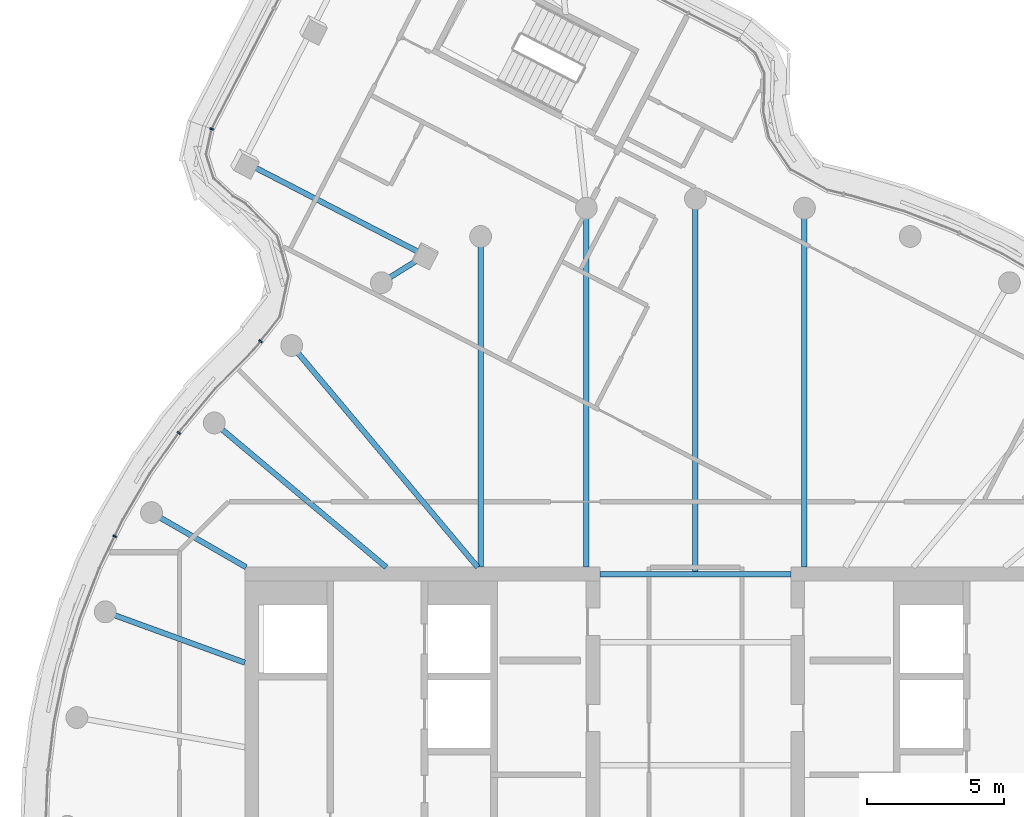
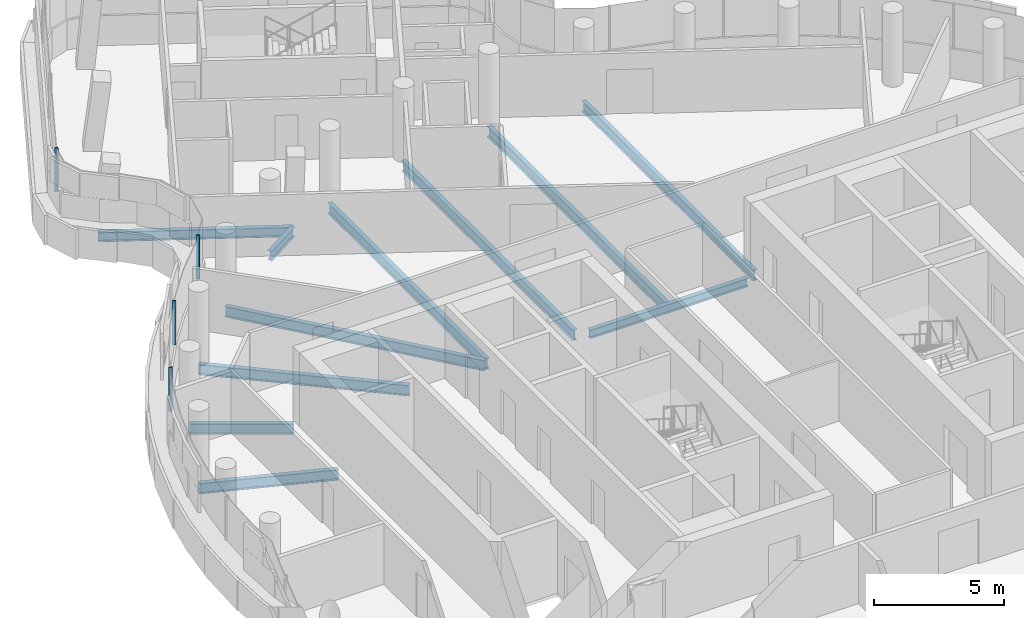
# One storey, part 9 of 21: 11 beams, 4 members, 1 element without a shape of its own.
"""IFC4 building model written with IfcOpenShell, lengths in metres."""

import ifcopenshell
import ifcopenshell.guid

model = None  # the IFC model being written
_history = None  # IfcOwnerHistory: only IFC2X3 demands one
_inside = {}  # id of a spatial element -> (the spatial element, [elements in it])
_under = {}  # id of a project, library or spatial element -> (it, [spatial elements below it])
_declared = {}  # id of a project -> (the project, [libraries it declares])
_typed = {}  # id of a type object -> (the type object, [elements of that type])
_made_of = {}  # id of a material, layer set ... -> (it, [elements and type objects made of it])


def new_model(schema):
    """Start an empty IFC model of exactly this schema.

    Asked for "IFC4X3", IfcOpenShell would pick the latest addendum, in which some entities
    have other attributes; the version numbers below select the first issue.
    IFC2X3 requires an IfcOwnerHistory on every rooted entity: one is made here for all.
    """
    global model, _history
    if schema == "IFC4X3":
        model = ifcopenshell.file(schema_version=(4, 3, 0, 0))
    else:
        model = ifcopenshell.file(schema=schema)
    _inside.clear()
    _under.clear()
    _declared.clear()
    _typed.clear()
    _made_of.clear()
    _history = None
    if model.schema == "IFC2X3":
        org = make("IfcOrganization", Name="unknown")
        user = make(
            "IfcPersonAndOrganization",
            ThePerson=make("IfcPerson", FamilyName="unknown"),
            TheOrganization=org,
        )
        app = make(
            "IfcApplication",
            ApplicationDeveloper=org,
            Version="unknown",
            ApplicationFullName="unknown",
            ApplicationIdentifier="unknown",
        )
        _history = make(
            "IfcOwnerHistory",
            OwningUser=user,
            OwningApplication=app,
            ChangeAction="ADDED",
            CreationDate=0,
        )
    return model


def make(cls, **values):
    """One entity of the class cls with the attributes given. An attribute that is None is left unset."""
    return model.create_entity(
        cls, **{name: value for name, value in values.items() if value is not None}
    )


def rooted(cls, **values):
    """An entity with a GlobalId (a new one), such as an element, a storey or a relation."""
    return make(cls, GlobalId=ifcopenshell.guid.new(), OwnerHistory=_history, **values)


def si_unit(unit_type, name, prefix=None):
    """IfcSIUnit, for example si_unit("LENGTHUNIT", "METRE", prefix="MILLI")."""
    return make("IfcSIUnit", UnitType=unit_type, Prefix=prefix, Name=name)


def assignment(units):
    """IfcUnitAssignment: the units of a project."""
    return None if units is None else make("IfcUnitAssignment", Units=units)


def point(xyz):
    """IfcCartesianPoint."""
    return None if xyz is None else make("IfcCartesianPoint", Coordinates=xyz)


def direction(xyz):
    """IfcDirection."""
    return None if xyz is None else make("IfcDirection", DirectionRatios=xyz)


def frame(location, z_axis=None, x_axis=None):
    """IfcAxis2Placement3D, a coordinate frame: its origin and axes. An axis left out is left unset."""
    return make(
        "IfcAxis2Placement3D",
        Location=point(location),
        Axis=direction(z_axis),
        RefDirection=direction(x_axis),
    )


def frame_2d(location, x_axis=None):
    """IfcAxis2Placement2D, a coordinate frame in the plane: its origin and x axis."""
    return make(
        "IfcAxis2Placement2D", Location=point(location), RefDirection=direction(x_axis)
    )


def origin():
    """The frame at (0, 0, 0) with its axes left unset."""
    return frame((0.0, 0.0, 0.0))


def origin_2d():
    """The frame at (0, 0) in the plane with its x axis left unset."""
    return frame_2d((0.0, 0.0))


def place(relative_to, where):
    """IfcLocalPlacement: puts the frame where relative to a parent placement (None: the world)."""
    return make(
        "IfcLocalPlacement", PlacementRelTo=relative_to, RelativePlacement=where
    )


def context(
    kind, dimensions, precision=None, world=None, true_north=None, identifier=None
):
    """IfcGeometricRepresentationContext, for example the 3D "Model" context."""
    return make(
        "IfcGeometricRepresentationContext",
        ContextIdentifier=identifier,
        ContextType=kind,
        CoordinateSpaceDimension=dimensions,
        Precision=precision,
        WorldCoordinateSystem=world,
        TrueNorth=true_north,
    )


def subcontext(parent, identifier, kind, view, scale=None):
    """IfcGeometricRepresentationSubContext, for example "Body" below "Model"."""
    return make(
        "IfcGeometricRepresentationSubContext",
        ContextIdentifier=identifier,
        ContextType=kind,
        ParentContext=parent,
        TargetScale=scale,
        TargetView=view,
    )


def project(units=None, contexts=None):
    """IfcProject with its units and contexts."""
    return rooted(
        "IfcProject",
        Name="project",
        RepresentationContexts=contexts,
        UnitsInContext=assignment(units),
    )


def spatial(cls, under=None, at=None, **own):
    """A site, building, storey or space (cls), placed at a placement, below another one or the project."""
    s = rooted(cls, ObjectPlacement=at, **own)
    if under is not None:
        _under.setdefault(under.id(), (under, []))[1].append(s)
    return s


def profile(cls, at=None, kind="AREA", **sizes):
    """A parametric profile (cls). Its sizes go by their IFC names, for example OverallWidth=200.0."""
    return make(cls, ProfileType=kind, Position=at, **sizes)


def rectangle(**sizes):
    """IfcRectangleProfileDef."""
    return profile("IfcRectangleProfileDef", **sizes)


def i_section(**sizes):
    """IfcIShapeProfileDef."""
    return profile("IfcIShapeProfileDef", **sizes)


def extrude(swept, where, along, depth):
    """IfcExtrudedAreaSolid: the profile swept, set in the frame where, extruded along a direction by depth."""
    return make(
        "IfcExtrudedAreaSolid",
        SweptArea=swept,
        Position=where,
        ExtrudedDirection=direction(along),
        Depth=depth,
    )


def shape(context_of_items, identifier, shape_type, items):
    """IfcShapeRepresentation: the items that make up one representation, for example the "Body"."""
    return make(
        "IfcShapeRepresentation",
        ContextOfItems=context_of_items,
        RepresentationIdentifier=identifier,
        RepresentationType=shape_type,
        Items=items,
    )


def material(Name=None, Category=None):
    """IfcMaterial."""
    return make("IfcMaterial", Name=Name, Category=Category)


def layer(
    of_material, thickness, ventilated=None, Name=None, Category=None, Priority=None
):
    """IfcMaterialLayer: one layer of a wall or slab, of a material (None: an air gap)."""
    return make(
        "IfcMaterialLayer",
        Material=of_material,
        LayerThickness=thickness,
        IsVentilated=ventilated,
        Name=Name,
        Category=Category,
        Priority=Priority,
    )


def layer_set(layers, Name=None):
    """IfcMaterialLayerSet."""
    return make("IfcMaterialLayerSet", MaterialLayers=layers, LayerSetName=Name)


def material_profile(
    of_material, cross_section, Name=None, Category=None, Priority=None
):
    """IfcMaterialProfile: a cross section and its material."""
    return make(
        "IfcMaterialProfile",
        Name=Name,
        Material=of_material,
        Profile=cross_section,
        Priority=Priority,
        Category=Category,
    )


def profile_set(profiles, Name=None, composite=None):
    """IfcMaterialProfileSet."""
    return make(
        "IfcMaterialProfileSet",
        Name=Name,
        MaterialProfiles=profiles,
        CompositeProfile=composite,
    )


def made_of(thing, what):
    """Note that an element or type object is made of a material, layer set ...; save() writes the relation."""
    if what is not None:
        _made_of.setdefault(what.id(), (what, []))[1].append(thing)
    return thing


def type_object(cls, material=None, **own):
    """A type object (cls), such as IfcWallType, which elements share."""
    return made_of(rooted(cls, **own), material)


def element(
    cls,
    number,
    at=None,
    inside=None,
    cuts=None,
    type_object=None,
    material=None,
    context=None,
    identifier="Body",
    shape_type=None,
    held_by="IfcProductDefinitionShape",
    body=None,
    shapes=None,
    **own,
):
    """One element of the class cls, such as IfcWall. Its Tag is "e" and its number.

    at: its placement. inside: the storey or other place that contains it. cuts: it is an
    opening in that element (IfcRelVoidsElement). A single representation is given by context,
    identifier, shape_type and body (its items); several are given by shapes. held_by: the class
    of the entity that holds the representations. save() writes the other relations.
    """
    e = rooted(cls, Tag="e%d" % number, ObjectPlacement=at, **own)
    if body is not None:
        shapes = [shape(context, identifier, shape_type, body)]
    if shapes is not None:
        e.Representation = make(held_by, Representations=shapes)
    if inside is not None:
        _inside.setdefault(inside.id(), (inside, []))[1].append(e)
    if cuts is not None:
        rooted(
            "IfcRelVoidsElement", RelatingBuildingElement=cuts, RelatedOpeningElement=e
        )
    if type_object is not None:
        _typed.setdefault(type_object.id(), (type_object, []))[1].append(e)
    return made_of(e, material)


def aggregate(whole, parts):
    """IfcRelAggregates: a whole, such as a stair, and the parts it consists of."""
    return rooted("IfcRelAggregates", RelatingObject=whole, RelatedObjects=parts)


def save(model, path):
    """Write the relations noted so far, then the file.

    IfcRelAggregates (storeys below a building ...), IfcRelContainedInSpatialStructure (elements
    in a storey), IfcRelDefinesByType, IfcRelAssociatesMaterial and IfcRelDeclares: one each for
    every whole, place, type object, material and project.
    """
    for whole, parts in _under.values():
        aggregate(whole, parts)
    for where, things in _inside.values():
        rooted(
            "IfcRelContainedInSpatialStructure",
            RelatedElements=things,
            RelatingStructure=where,
        )
    for kind, things in _typed.values():
        rooted("IfcRelDefinesByType", RelatedObjects=things, RelatingType=kind)
    for what, things in _made_of.values():
        rooted("IfcRelAssociatesMaterial", RelatedObjects=things, RelatingMaterial=what)
    for by, libraries in _declared.values():
        rooted("IfcRelDeclares", RelatingContext=by, RelatedDefinitions=libraries)
    model.write(path)


model = new_model("IFC4")

# Units and contexts
model_context = context("Model", 3, precision=1e-05, world=origin(), true_north=direction((0.0, 1.0)))
body_context = subcontext(model_context, "Body", "Model", "MODEL_VIEW")
ifc_project = project(units=[si_unit("LENGTHUNIT", "METRE"), si_unit("AREAUNIT", "SQUARE_METRE"), si_unit("VOLUMEUNIT", "CUBIC_METRE"), si_unit("PLANEANGLEUNIT", "RADIAN"), si_unit("MASSUNIT", "GRAM", prefix="KILO")], contexts=[model_context])

# Site, building, storey
site_placement = place(None, origin())
site = spatial("IfcSite", under=ifc_project, at=site_placement, CompositionType="ELEMENT")
building_placement = place(site_placement, origin())
building = spatial("IfcBuilding", under=site, at=building_placement, Name="Tamarind Cross Interchange Tower", CompositionType="ELEMENT")
storey_placement = place(building_placement, frame((0.0, 0.0, 260.39990234375)))
storey = spatial("IfcBuildingStorey", under=building, at=storey_placement, Name="L66", CompositionType="ELEMENT", Elevation=260.39990234375)

# Beams
ifc_material_1 = material(Name="Steel Q355B", Category="steel")
ifc_material_profile_1 = material_profile(ifc_material_1, i_section(OverallWidth=0.199951171875, OverallDepth=0.39990234375, WebThickness=0.008056640625, FlangeThickness=0.012939453125, FilletRadius=0.01611328125, at=origin_2d()), Name="HN 400x200x8x13")
ifc_profile_set_1 = profile_set([ifc_material_profile_1], Name="Steel Q355B")
beam_type_1 = type_object("IfcBeamType", Name="Composite beam HN 400x200x8x13 Q355B", PredefinedType="BEAM", material=ifc_profile_set_1)
beam_1_placement = place(storey_placement, frame((-3.5, 9.25, -0.33984375), z_axis=(1.0, 0.0, 0.0), x_axis=(0.0, 1.0, 0.0)))
element("IfcBeam", 1, at=beam_1_placement, inside=storey, type_object=beam_type_1, Name="Beam G9.25", PredefinedType="BEAM", context=body_context, shape_type="SweptSolid", body=[
    extrude(i_section(OverallWidth=0.199951171875, OverallDepth=0.39990234375, WebThickness=0.008056640625, FlangeThickness=0.012939453125, FilletRadius=0.01611328125, at=origin_2d()), origin(), (0.0, 0.0, 1.0), 7.0),
])
ifc_material_profile_2 = material_profile(ifc_material_1, i_section(OverallWidth=0.198974609375, OverallDepth=0.446044921875, WebThickness=0.008056640625, FlangeThickness=0.011962890625, FilletRadius=0.012939453125, at=origin_2d()), Name="HN 446x199x8x12")
ifc_profile_set_2 = profile_set([ifc_material_profile_2], Name="Steel Q355B")
beam_type_2 = type_object("IfcBeamType", Name="Composite beam HN 446x199x8x12 Q355B", PredefinedType="BEAM", material=ifc_profile_set_2)
beam_2_placement = place(storey_placement, frame((-16.54931640625, 24.35595703125, -0.36279296875), z_axis=(0.888519438025, -0.458838978567, 0.0), x_axis=(0.458838978567, 0.888519438025, 0.0)))
element("IfcBeam", 2, at=beam_2_placement, inside=storey, type_object=beam_type_2, Name="Beam N-edgeep2", PredefinedType="BEAM", context=body_context, shape_type="SweptSolid", body=[
    extrude(i_section(OverallWidth=0.198974609375, OverallDepth=0.446044921875, WebThickness=0.008056640625, FlangeThickness=0.011962890625, FilletRadius=0.012939453125, at=origin_2d()), origin(), (0.0, 0.0, 1.0), 7.4853515625),
])
beam_3_placement = place(storey_placement, frame((-9.8984375, 20.92138671875, -0.36279296875), z_axis=(-0.847591563709, -0.530649169536, 0.0), x_axis=(0.530649169536, -0.847591563709, 0.0)))
element("IfcBeam", 3, at=beam_3_placement, inside=storey, type_object=beam_type_2, Name="Beam N-linkep", PredefinedType="BEAM", context=body_context, shape_type="SweptSolid", body=[
    extrude(i_section(OverallWidth=0.198974609375, OverallDepth=0.446044921875, WebThickness=0.008056640625, FlangeThickness=0.011962890625, FilletRadius=0.012939453125, at=origin_2d()), origin(), (0.0, 0.0, 1.0), 1.8896484375),
])
ifc_material_profile_3 = material_profile(ifc_material_1, i_section(OverallWidth=0.198974609375, OverallDepth=0.49609375, WebThickness=0.009033203125, FlangeThickness=0.013916015625, FilletRadius=0.012939453125, at=origin_2d()), Name="HN 496x199x9x14")
ifc_profile_set_3 = profile_set([ifc_material_profile_3], Name="Steel Q355B")
beam_type_3 = type_object("IfcBeamType", Name="Composite beam HN 496x199x9x14 Q355B", PredefinedType="BEAM", material=ifc_profile_set_3)
beam_4_placement = place(storey_placement, frame((3.993896484375, 22.650634765625, -0.387939453125), z_axis=(0.0, -1.0, 0.0), x_axis=(1.0, 0.0, 0.0)))
element("IfcBeam", 4, at=beam_4_placement, inside=storey, type_object=beam_type_3, Name="Beam HH08", PredefinedType="BEAM", context=body_context, shape_type="SweptSolid", body=[
    extrude(i_section(OverallWidth=0.198974609375, OverallDepth=0.49609375, WebThickness=0.009033203125, FlangeThickness=0.013916015625, FilletRadius=0.012939453125, at=origin_2d()), origin(), (0.0, 0.0, 1.0), 13.150634765625),
])
beam_5_placement = place(storey_placement, frame((0.0, 23.0, -0.387939453125), z_axis=(0.0, -1.0, 0.0), x_axis=(1.0, 0.0, 0.0)))
element("IfcBeam", 5, at=beam_5_placement, inside=storey, type_object=beam_type_3, Name="Beam HH09", PredefinedType="BEAM", context=body_context, shape_type="SweptSolid", body=[
    extrude(i_section(OverallWidth=0.198974609375, OverallDepth=0.49609375, WebThickness=0.009033203125, FlangeThickness=0.013916015625, FilletRadius=0.012939453125, at=origin_2d()), origin(), (0.0, 0.0, 1.0), 13.75),
])
beam_6_placement = place(storey_placement, frame((-3.993896484375, 22.650634765625, -0.387939453125), z_axis=(0.0, -1.0, 0.0), x_axis=(1.0, 0.0, 0.0)))
element("IfcBeam", 6, at=beam_6_placement, inside=storey, type_object=beam_type_3, Name="Beam HH10", PredefinedType="BEAM", context=body_context, shape_type="SweptSolid", body=[
    extrude(i_section(OverallWidth=0.198974609375, OverallDepth=0.49609375, WebThickness=0.009033203125, FlangeThickness=0.013916015625, FilletRadius=0.012939453125, at=origin_2d()), origin(), (0.0, 0.0, 1.0), 13.150634765625),
])
beam_7_placement = place(storey_placement, frame((-7.866455078125, 21.613037109375, -0.387939453125), z_axis=(0.0, -1.0, 0.0), x_axis=(1.0, 0.0, 0.0)))
element("IfcBeam", 7, at=beam_7_placement, inside=storey, type_object=beam_type_3, Name="Beam HH11", PredefinedType="BEAM", context=body_context, shape_type="SweptSolid", body=[
    extrude(i_section(OverallWidth=0.198974609375, OverallDepth=0.49609375, WebThickness=0.009033203125, FlangeThickness=0.013916015625, FilletRadius=0.012939453125, at=origin_2d()), origin(), (0.0, 0.0, 1.0), 12.113037109375),
])
beam_8_placement = place(storey_placement, frame((-14.7841796875, 17.619140625, -0.387939453125), z_axis=(0.642786293979, -0.766045547127, 0.0), x_axis=(0.766045547127, 0.642786293979, 0.0)))
element("IfcBeam", 8, at=beam_8_placement, inside=storey, type_object=beam_type_3, Name="Beam HH13", PredefinedType="BEAM", context=body_context, shape_type="SweptSolid", body=[
    extrude(i_section(OverallWidth=0.198974609375, OverallDepth=0.49609375, WebThickness=0.009033203125, FlangeThickness=0.013916015625, FilletRadius=0.012939453125, at=origin_2d()), origin(), (0.0, 0.0, 1.0), 10.598876953125),
])
beam_9_placement = place(storey_placement, frame((-17.619140625, 14.7841796875, -0.387939453125), z_axis=(0.766040580814, -0.642792212574, 0.0), x_axis=(0.642792212574, 0.766040580814, 0.0)))
element("IfcBeam", 9, at=beam_9_placement, inside=storey, type_object=beam_type_3, Name="Beam HH14", PredefinedType="BEAM", context=body_context, shape_type="SweptSolid", body=[
    extrude(i_section(OverallWidth=0.198974609375, OverallDepth=0.49609375, WebThickness=0.009033203125, FlangeThickness=0.013916015625, FilletRadius=0.012939453125, at=origin_2d()), origin(), (0.0, 0.0, 1.0), 8.220703125),
])
beam_10_placement = place(storey_placement, frame((-19.918701171875, 11.5, -0.387939453125), z_axis=(0.866026010844, -0.49999894854, 0.0), x_axis=(0.49999894854, 0.866026010844, 0.0)))
element("IfcBeam", 10, at=beam_10_placement, inside=storey, type_object=beam_type_3, Name="Beam HH15", PredefinedType="BEAM", context=body_context, shape_type="SweptSolid", body=[
    extrude(i_section(OverallWidth=0.198974609375, OverallDepth=0.49609375, WebThickness=0.009033203125, FlangeThickness=0.013916015625, FilletRadius=0.012939453125, at=origin_2d()), origin(), (0.0, 0.0, 1.0), 4.0),
])
beam_11_placement = place(storey_placement, frame((-21.613037109375, 7.866455078125, -0.387939453125), z_axis=(0.939701685589, -0.341995236956, 0.0), x_axis=(0.341995236956, 0.939701685589, 0.0)))
element("IfcBeam", 11, at=beam_11_placement, inside=storey, type_object=beam_type_3, Name="Beam HH16", PredefinedType="BEAM", context=body_context, shape_type="SweptSolid", body=[
    extrude(i_section(OverallWidth=0.198974609375, OverallDepth=0.49609375, WebThickness=0.009033203125, FlangeThickness=0.013916015625, FilletRadius=0.012939453125, at=origin_2d()), origin(), (0.0, 0.0, 1.0), 5.441162109375),
])

# Curtain wall, members
ifc_material_2 = material(Name="Aluminium 6063-T6", Category="aluminium")
ifc_layer = layer(ifc_material_2, 0.139892578125)
ifc_layer_set = layer_set([ifc_layer], Name="Aluminium 6063-T6")
curtain_wall_type = type_object("IfcCurtainWallType", Name="Hotel curtain wall, 4.5 m bays", PredefinedType="NOTDEFINED", material=ifc_layer_set)
curtain_wall_placement = place(storey_placement, origin())
curtain_wall = element("IfcCurtainWall", 12, at=curtain_wall_placement, inside=storey, type_object=curtain_wall_type, Name="CWS-L66-01", PredefinedType="NOTDEFINED")
ifc_material_profile_4 = material_profile(ifc_material_2, rectangle(XDim=0.06005859375, YDim=0.139892578125, at=origin_2d()), Name="Mullion CW2")
ifc_profile_set_4 = profile_set([ifc_material_profile_4], Name="Aluminium 6063-T6")
member_type = type_object("IfcMemberType", Name="Mullion CW2", PredefinedType="MULLION", material=ifc_profile_set_4)
member_1_placement = place(storey_placement, frame((-17.716064453125, 25.551025390625, 1.400146484375), z_axis=(0.0, 0.0, 1.0), x_axis=(-0.338934970422, -0.940809803215, 0.0)))
member_1 = element("IfcMember", 13, at=member_1_placement, type_object=member_type, Name="CWM-L66-01-00", PredefinedType="MULLION", context=body_context, shape_type="SweptSolid", body=[
    extrude(rectangle(XDim=0.06005859375, YDim=0.139892578125, at=origin_2d()), origin(), (0.0, 0.0, 1.0), 2.06005859375),
])
member_2_placement = place(storey_placement, frame((-15.92529296875, 17.77392578125, 1.400146484375), z_axis=(0.0, 0.0, 1.0), x_axis=(-0.616508142296, -0.787348531771, 0.0)))
member_2 = element("IfcMember", 14, at=member_2_placement, type_object=member_type, Name="CWM-L66-01-01", PredefinedType="MULLION", context=body_context, shape_type="SweptSolid", body=[
    extrude(rectangle(XDim=0.06005859375, YDim=0.139892578125, at=origin_2d()), origin(), (0.0, 0.0, 1.0), 2.06005859375),
])
member_3_placement = place(storey_placement, frame((-18.920654296875, 14.422119140625, 1.400146484375), z_axis=(0.0, 0.0, 1.0), x_axis=(-0.577568978284, -0.816341886298, 0.0)))
member_3 = element("IfcMember", 15, at=member_3_placement, type_object=member_type, Name="CWM-L66-01-02", PredefinedType="MULLION", context=body_context, shape_type="SweptSolid", body=[
    extrude(rectangle(XDim=0.06005859375, YDim=0.139892578125, at=origin_2d()), origin(), (0.0, 0.0, 1.0), 2.06005859375),
])
member_4_placement = place(storey_placement, frame((-21.2685546875, 10.630859375, 1.400146484375), z_axis=(0.0, 0.0, 1.0), x_axis=(-0.435326231914, -0.900272776334, 0.0)))
member_4 = element("IfcMember", 16, at=member_4_placement, type_object=member_type, Name="CWM-L66-01-03", PredefinedType="MULLION", context=body_context, shape_type="SweptSolid", body=[
    extrude(rectangle(XDim=0.06005859375, YDim=0.139892578125, at=origin_2d()), origin(), (0.0, 0.0, 1.0), 2.06005859375),
])
aggregate(curtain_wall, [member_1, member_2, member_3, member_4])

save(model, "model.ifc")
